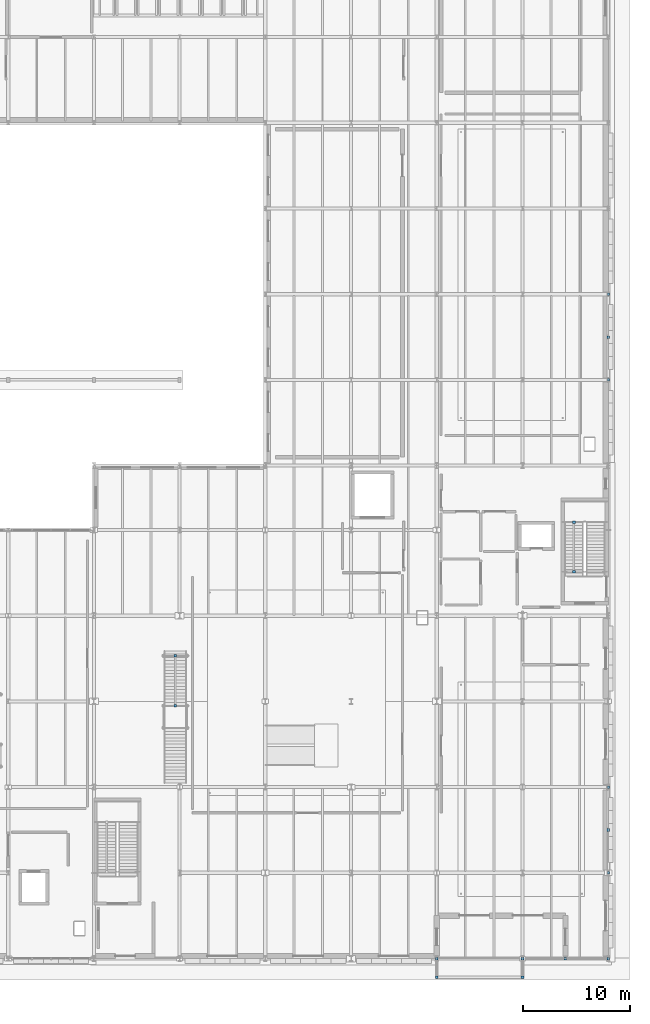
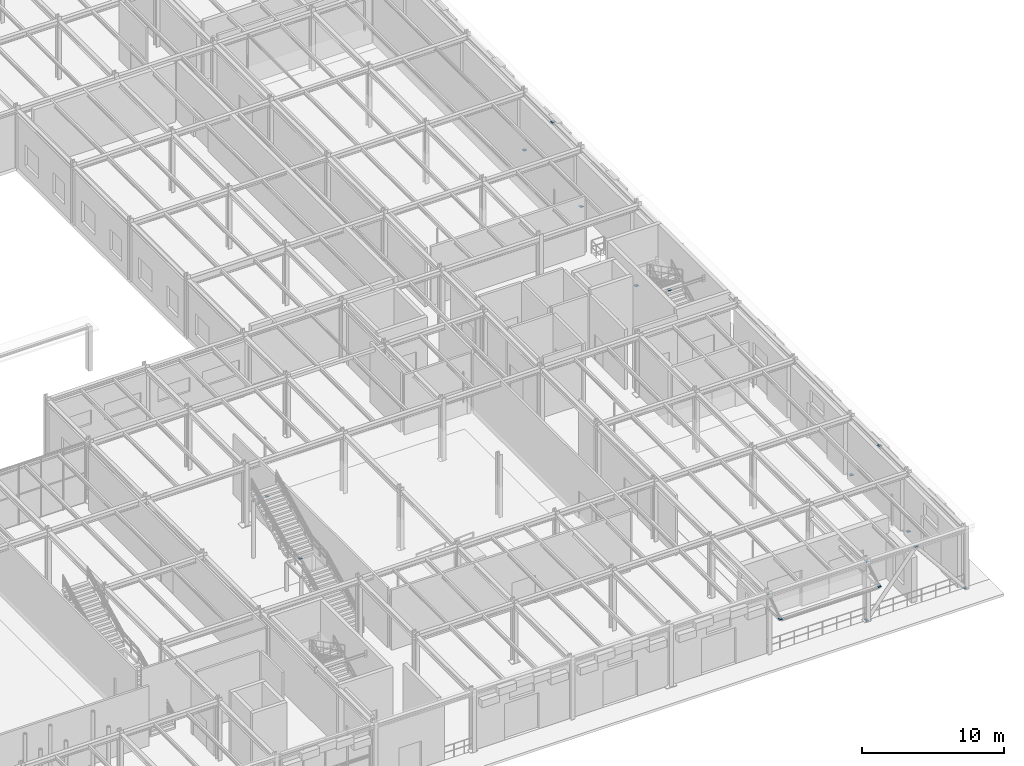
# One storey, part 108 of 129: 17 discrete accessories.
"""IFC4 building model written with IfcOpenShell, lengths in metres."""

from ifc_helpers import new_model, si_unit, direction, frame, origin, origin_2d, place, context, subcontext, project, spatial, rectangle, extrude, material, type_object, element, save


model = new_model("IFC4")

# Units and contexts
model_context = context("Model", 3, precision=1e-05, world=origin(), true_north=direction((0.0, 1.0)))
body_context = subcontext(model_context, "Body", "Model", "MODEL_VIEW")
ifc_project = project(units=[si_unit("LENGTHUNIT", "METRE"), si_unit("AREAUNIT", "SQUARE_METRE"), si_unit("VOLUMEUNIT", "CUBIC_METRE"), si_unit("PLANEANGLEUNIT", "RADIAN"), si_unit("MASSUNIT", "GRAM", prefix="KILO")], contexts=[model_context])

# Site, building, storey
site_placement = place(None, origin())
site = spatial("IfcSite", under=ifc_project, at=site_placement, CompositionType="ELEMENT")
building_placement = place(site_placement, origin())
building = spatial("IfcBuilding", under=site, at=building_placement, Name="Sundkrona Museum", CompositionType="ELEMENT")
storey_placement = place(building_placement, origin())
storey = spatial("IfcBuildingStorey", under=building, at=storey_placement, Name="L00", CompositionType="ELEMENT", Elevation=0.0)

# Discrete accessories
ifc_material = material(Name="Stainless Steel EN 1.4404 Cleat", Category="steel")
discrete_accessory_type = type_object("IfcDiscreteAccessoryType", Name="BRK-FIN-01", PredefinedType="BRACKET", material=ifc_material)
for number, where, z_axis, x_axis, name in (
    (1, (160.0, 0.0, -0.012451171875), (0.0, 0.0, 1.0), (1.0, 0.0, 0.0), "Brace and Strut End Connection Plate BR-L00-002A-1"),
    (2, (164.0, 0.0, 4.927490234375), (0.0, 0.0, 1.0), (1.0, 0.0, 0.0), "Brace and Strut End Connection Plate BR-L00-002A-2"),
    (3, (168.0, 0.0, -0.012451171875), (0.0, 0.0, 1.0), (1.0, 0.0, 0.0), "Brace and Strut End Connection Plate BR-L00-002B-1"),
    (4, (168.0, 8.0, -0.012451171875), (0.0, 0.0, 1.0), (1.0, 0.0, 0.0), "Brace and Strut End Connection Plate BR-L00-008A-1"),
    (5, (168.0, 12.0, 4.927490234375), (0.0, 0.0, 1.0), (1.0, 0.0, 0.0), "Brace and Strut End Connection Plate BR-L00-008A-2"),
    (6, (168.0, 16.0, -0.012451171875), (0.0, 0.0, 1.0), (1.0, 0.0, 0.0), "Brace and Strut End Connection Plate BR-L00-008B-1"),
    (7, (168.0, 54.0, -0.012451171875), (0.0, 0.0, 1.0), (1.0, 0.0, 0.0), "Brace and Strut End Connection Plate BR-L00-026A-1"),
    (8, (168.0, 58.0, 4.817626953125), (0.0, 0.0, 1.0), (1.0, 0.0, 0.0), "Brace and Strut End Connection Plate BR-L00-026A-2"),
    (9, (168.0, 62.0, -0.012451171875), (0.0, 0.0, 1.0), (1.0, 0.0, 0.0), "Brace and Strut End Connection Plate BR-L00-026B-1"),
    (10, (164.800048828125, 40.715087890625, 2.367431640625), (0.0, 0.0, 1.0), (1.0, 0.0, 0.0), "Brace and Strut End Connection Plate RK-ST-ST-1-L00-2-1"),
    (11, (164.800048828125, 36.10009765625, 4.8017578125), (0.0, 0.0, 1.0), (1.0, 0.0, 0.0), "Brace and Strut End Connection Plate RK-ST-ST-1-L00-2-2"),
    (12, (127.60009765625, 23.580078125, 2.367431640625), (0.0, 0.0, 1.0), (1.0, 0.0, 0.0), "Brace and Strut End Connection Plate RK-FS-5-FL2-1"),
    (13, (127.60009765625, 28.25, 4.84765625), (0.0, 0.0, 1.0), (1.0, 0.0, 0.0), "Brace and Strut End Connection Plate RK-FS-5-FL2-2"),
    (14, (152.0, -1.75, 3.967529296875), (0.0, 0.0, 1.0), (1.0, 0.0, 0.0), "Brace and Strut End Connection Plate ST-CAN-HNG-1-1"),
    (15, (152.0, 0.0, 5.087646484375), (0.0, 0.0, 1.0), (1.0, 0.0, 0.0), "Brace and Strut End Connection Plate ST-CAN-HNG-1-2"),
    (16, (160.0, -1.75, 3.967529296875), (0.0, 0.0, 1.0), (1.0, 0.0, 0.0), "Brace and Strut End Connection Plate ST-CAN-HNG-2-1"),
    (17, (160.0, 0.0, 5.087646484375), (0.0, 0.0, 1.0), (1.0, 0.0, 0.0), "Brace and Strut End Connection Plate ST-CAN-HNG-2-2"),
):
    element("IfcDiscreteAccessory", number, at=place(storey_placement, frame(where, z_axis=z_axis, x_axis=x_axis)), inside=storey, type_object=discrete_accessory_type, Name=name, PredefinedType="BRACKET", context=body_context, shape_type="SweptSolid", body=[
        extrude(rectangle(XDim=0.239990234375, YDim=0.239990234375, at=origin_2d()), origin(), (0.0, 0.0, 1.0), 0.02490234375),
    ])

save(model, "model.ifc")
